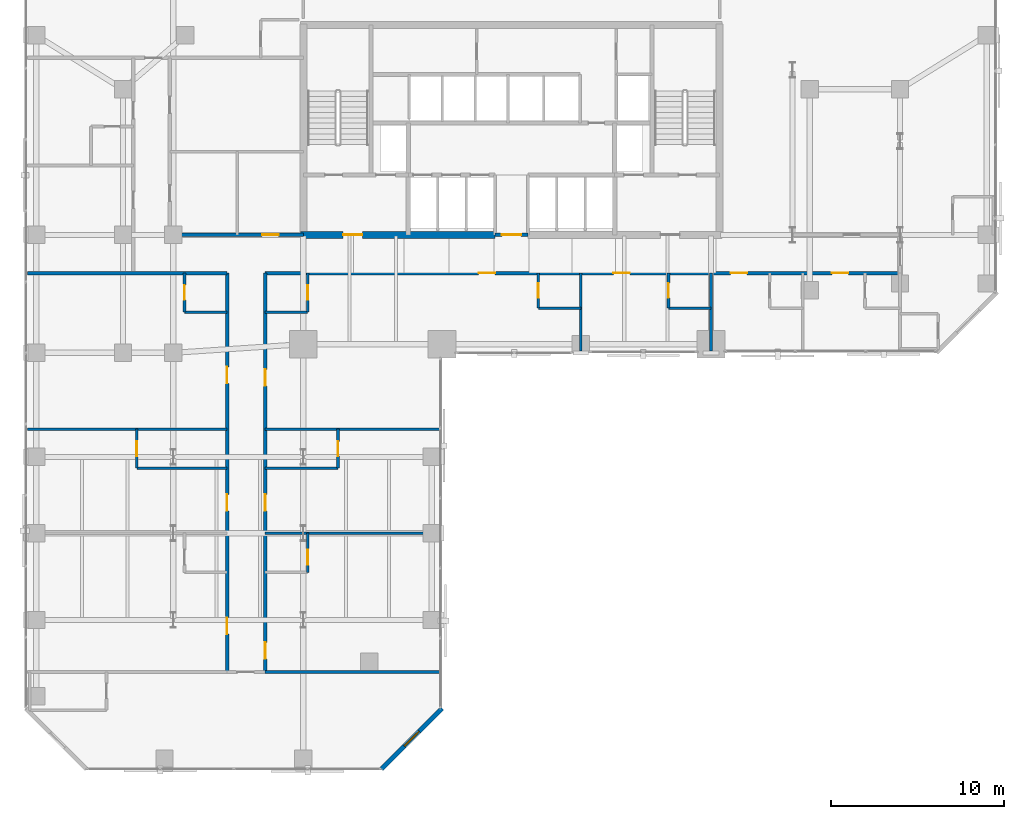
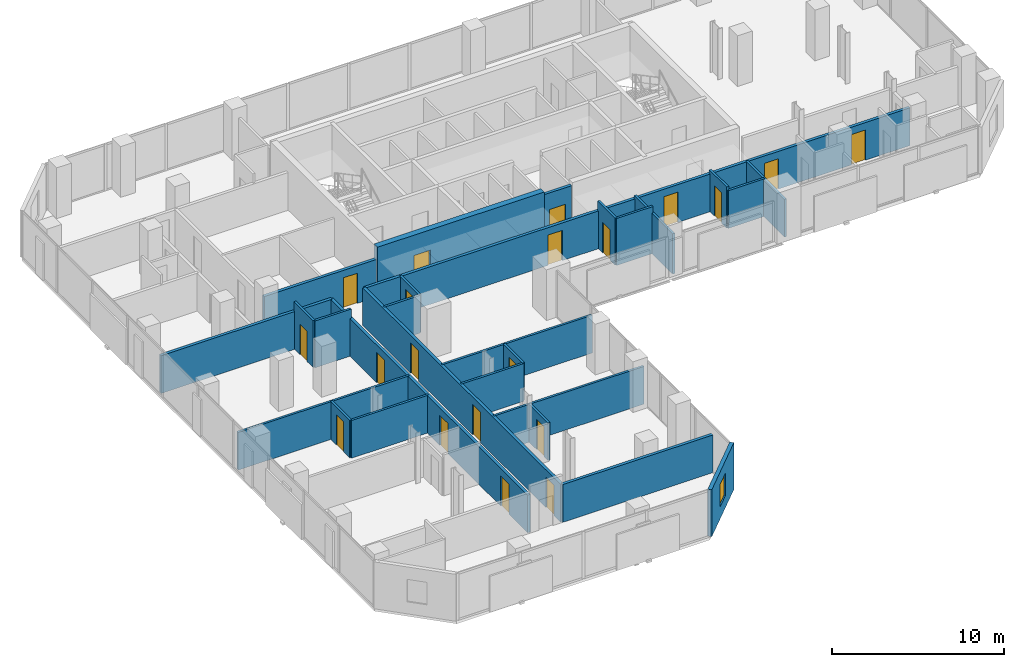
# One storey, part 27 of 31: 27 walls, 20 doors, 1 window, 21 openings.
"""IFC4 building model written with IfcOpenShell, lengths in metres."""

from ifc_helpers import new_model, si_unit, direction, frame, frame_2d, origin, place, context, subcontext, project, spatial, rectangle, extrude, material, layer, layer_set, type_object, element, fill, save


model = new_model("IFC4")

# Units and contexts
model_context = context("Model", 3, precision=1e-05, world=origin(), true_north=direction((0.0, 1.0)))
body_context = subcontext(model_context, "Body", "Model", "MODEL_VIEW")
ifc_project = project(units=[si_unit("LENGTHUNIT", "METRE"), si_unit("AREAUNIT", "SQUARE_METRE"), si_unit("VOLUMEUNIT", "CUBIC_METRE"), si_unit("PLANEANGLEUNIT", "RADIAN"), si_unit("MASSUNIT", "GRAM", prefix="KILO")], contexts=[model_context])

# Site, building, storey
site_placement = place(None, origin())
site = spatial("IfcSite", under=ifc_project, at=site_placement, CompositionType="ELEMENT")
building_placement = place(site_placement, origin())
building = spatial("IfcBuilding", under=site, at=building_placement, Name="Catumbela Crestline Tower", CompositionType="ELEMENT")
storey_placement = place(building_placement, frame((0.0, 0.0, 25.8)))
storey = spatial("IfcBuildingStorey", under=building, at=storey_placement, Name="L05", CompositionType="ELEMENT", Elevation=25.8)

# Wall, opening, door
ifc_material_1 = material(Name="Concrete C60/75", Category="concrete")
ifc_layer_1 = layer(ifc_material_1, 0.4, Name="Concrete C60/75")
ifc_layer_set_1 = layer_set([ifc_layer_1], Name="Concrete C60/75")
wall_type_1 = type_object("IfcWallType", Name="CW-400A", PredefinedType="SHEAR", material=ifc_layer_set_1)
wall_1_placement = place(storey_placement, frame((15.85, 30.8, 0.0), z_axis=(0.0, 0.0, 1.0), x_axis=(1.0, 0.0, 0.0)))
wall_1 = element("IfcWall", 1, at=wall_1_placement, inside=storey, type_object=wall_type_1, Name="L05 Structural Core Shear Wall SW", PredefinedType="SHEAR", context=body_context, shape_type="SweptSolid", body=[
    extrude(rectangle(XDim=11.2, YDim=0.4, at=frame_2d((5.6, 0.0))), origin(), (0.0, 0.0, 1.0), 3.6),
])
opening_1_placement = place(wall_1_placement, frame((2.45, 0.0, 0.0)))
opening_1 = element("IfcOpeningElement", 2, at=opening_1_placement, cuts=wall_1, Name="Opening DF9-110", PredefinedType="OPENING", context=body_context, shape_type="SweptSolid", body=[
    extrude(rectangle(XDim=1.1, YDim=2.15, at=frame_2d((0.55, 1.075))), frame((0.0, 0.21, 0.0), z_axis=(0.0, -1.0, 0.0), x_axis=(1.0, 0.0, 0.0)), (0.0, 0.0, 1.0), 0.42),
])
ifc_material_2 = material(Name="Stainless steel EN 1.4401", Category="steel")
door_type_1 = type_object("IfcDoorType", Name="DF9-110", OperationType="NOTDEFINED", PredefinedType="DOOR", material=ifc_material_2)
door_1_placement = place(opening_1_placement, origin())
door_1 = element("IfcDoor", 3, at=door_1_placement, inside=storey, type_object=door_type_1, Name="L05 Interior Door DR-L05-FFW-S", OperationType="SINGLE_SWING_LEFT", OverallHeight=2.15, OverallWidth=1.1, PredefinedType="DOOR", context=body_context, shape_type="SweptSolid", body=[
    extrude(rectangle(XDim=1.1, YDim=2.15, at=frame_2d((0.55, 1.075))), frame((0.0, 0.025, 0.0), z_axis=(0.0, -1.0, 0.0), x_axis=(1.0, 0.0, 0.0)), (0.0, 0.0, 1.0), 0.05),
])
fill(opening_1, door_1)

ifc_material_3 = material(Name="Acoustic gypsum and mineral-wool partition")
ifc_layer_2 = layer(ifc_material_3, 0.2, Name="Acoustic gypsum and mineral-wool partition")
ifc_layer_set_2 = layer_set([ifc_layer_2], Name="Acoustic gypsum and mineral-wool partition")
wall_type_2 = type_object("IfcWallType", Name="WC-200", PredefinedType="PARTITIONING", material=ifc_layer_set_2)
wall_2_placement = place(storey_placement, frame((27.05, 30.8, 0.0), z_axis=(0.0, 0.0, 1.0), x_axis=(1.0, 0.0, 0.0)))
wall_2 = element("IfcWall", 4, at=wall_2_placement, inside=storey, type_object=wall_type_2, Name="L05 Interior Partition PW-L05-CLOBS", PredefinedType="PARTITIONING", context=body_context, shape_type="SweptSolid", body=[
    extrude(rectangle(XDim=1.9, YDim=0.2, at=frame_2d((0.95, 0.0))), origin(), (0.0, 0.0, 1.0), 3.33),
])
opening_2_placement = place(wall_2_placement, frame((0.4, 0.0, 0.0)))
opening_2 = element("IfcOpeningElement", 5, at=opening_2_placement, cuts=wall_2, Name="Opening DF9-110", PredefinedType="OPENING", context=body_context, shape_type="SweptSolid", body=[
    extrude(rectangle(XDim=1.1, YDim=2.15, at=frame_2d((0.55, 1.075))), frame((0.0, 0.11, 0.0), z_axis=(0.0, -1.0, 0.0), x_axis=(1.0, 0.0, 0.0)), (0.0, 0.0, 1.0), 0.22),
])
door_2_placement = place(opening_2_placement, origin())
door_2 = element("IfcDoor", 6, at=door_2_placement, inside=storey, type_object=door_type_1, Name="L05 Interior Door DR-L05-CLOBS", OperationType="SINGLE_SWING_LEFT", OverallHeight=2.15, OverallWidth=1.1, PredefinedType="DOOR", context=body_context, shape_type="SweptSolid", body=[
    extrude(rectangle(XDim=1.1, YDim=2.15, at=frame_2d((0.55, 1.075))), frame((0.0, 0.025, 0.0), z_axis=(0.0, -1.0, 0.0), x_axis=(1.0, 0.0, 0.0)), (0.0, 0.0, 1.0), 0.05),
])
fill(opening_2, door_2)

# Wall
wall_3_placement = place(storey_placement, frame((0.1, 28.6, 0.0), z_axis=(0.0, 0.0, 1.0), x_axis=(1.0, 0.0, 0.0)))
element("IfcWall", 7, at=wall_3_placement, inside=storey, type_object=wall_type_2, Name="L05 Interior Partition PW-L05-CWGL-N", PredefinedType="PARTITIONING", context=body_context, shape_type="SweptSolid", body=[
    extrude(rectangle(XDim=11.5, YDim=0.2, at=frame_2d((5.75, 0.0))), origin(), (0.0, 0.0, 1.0), 2.68),
])

# Wall, openings, doors
wall_4_placement = place(storey_placement, frame((13.8, 28.6, 0.0), z_axis=(0.0, 0.0, 1.0), x_axis=(1.0, 0.0, 0.0)))
wall_4 = element("IfcWall", 8, at=wall_4_placement, inside=storey, type_object=wall_type_2, Name="L05 Interior Partition PW-L05-CWGR-N", PredefinedType="PARTITIONING", context=body_context, shape_type="SweptSolid", body=[
    extrude(rectangle(XDim=36.6, YDim=0.2, at=frame_2d((18.3, 0.0))), origin(), (0.0, 0.0, 1.0), 2.68),
])
opening_3_placement = place(wall_4_placement, frame((12.3, 0.0, 0.0)))
opening_3 = element("IfcOpeningElement", 9, at=opening_3_placement, cuts=wall_4, Name="Opening DF6-095", PredefinedType="OPENING", context=body_context, shape_type="SweptSolid", body=[
    extrude(rectangle(XDim=0.95, YDim=2.15, at=frame_2d((0.475, 1.075))), frame((0.0, 0.11, 0.0), z_axis=(0.0, -1.0, 0.0), x_axis=(1.0, 0.0, 0.0)), (0.0, 0.0, 1.0), 0.22),
])
opening_4_placement = place(wall_4_placement, frame((20.075, 0.0, 0.0)))
opening_4 = element("IfcOpeningElement", 10, at=opening_4_placement, cuts=wall_4, Name="Opening DF6-095", PredefinedType="OPENING", context=body_context, shape_type="SweptSolid", body=[
    extrude(rectangle(XDim=0.95, YDim=2.15, at=frame_2d((0.475, 1.075))), frame((0.0, 0.11, 0.0), z_axis=(0.0, -1.0, 0.0), x_axis=(1.0, 0.0, 0.0)), (0.0, 0.0, 1.0), 0.22),
])
opening_5_placement = place(wall_4_placement, frame((26.8289, 0.0, 0.0)))
opening_5 = element("IfcOpeningElement", 11, at=opening_5_placement, cuts=wall_4, Name="Opening DF6-095", PredefinedType="OPENING", context=body_context, shape_type="SweptSolid", body=[
    extrude(rectangle(XDim=0.95, YDim=2.15, at=frame_2d((0.475, 1.075))), frame((0.0, 0.11, 0.0), z_axis=(0.0, -1.0, 0.0), x_axis=(1.0, 0.0, 0.0)), (0.0, 0.0, 1.0), 0.22),
])
opening_6_placement = place(wall_4_placement, frame((32.6691, 0.0, 0.0)))
opening_6 = element("IfcOpeningElement", 12, at=opening_6_placement, cuts=wall_4, Name="Opening DF6-095", PredefinedType="OPENING", context=body_context, shape_type="SweptSolid", body=[
    extrude(rectangle(XDim=0.95, YDim=2.15, at=frame_2d((0.475, 1.075))), frame((0.0, 0.11, 0.0), z_axis=(0.0, -1.0, 0.0), x_axis=(1.0, 0.0, 0.0)), (0.0, 0.0, 1.0), 0.22),
])
ifc_material_4 = material(Name="Aluminium alloy AW-6060-T66", Category="aluminium")
door_type_2 = type_object("IfcDoorType", Name="DF6-095", OperationType="NOTDEFINED", PredefinedType="DOOR", material=ifc_material_4)
door_3_placement = place(opening_3_placement, origin())
door_3 = element("IfcDoor", 13, at=door_3_placement, inside=storey, type_object=door_type_2, Name="L05 Interior Door DR-L05-K1-ENT", OperationType="SINGLE_SWING_LEFT", OverallHeight=2.15, OverallWidth=0.95, PredefinedType="DOOR", context=body_context, shape_type="SweptSolid", body=[
    extrude(rectangle(XDim=0.95, YDim=2.15, at=frame_2d((0.475, 1.075))), frame((0.0, 0.025, 0.0), z_axis=(0.0, -1.0, 0.0), x_axis=(1.0, 0.0, 0.0)), (0.0, 0.0, 1.0), 0.05),
])
fill(opening_3, door_3)
door_4_placement = place(opening_4_placement, origin())
door_4 = element("IfcDoor", 14, at=door_4_placement, inside=storey, type_object=door_type_2, Name="L05 Interior Door DR-L05-K2-ENT", OperationType="SINGLE_SWING_RIGHT", OverallHeight=2.15, OverallWidth=0.95, PredefinedType="DOOR", context=body_context, shape_type="SweptSolid", body=[
    extrude(rectangle(XDim=0.95, YDim=2.15, at=frame_2d((0.475, 1.075))), frame((0.0, 0.025, 0.0), z_axis=(0.0, -1.0, 0.0), x_axis=(1.0, 0.0, 0.0)), (0.0, 0.0, 1.0), 0.05),
])
fill(opening_4, door_4)
door_5_placement = place(opening_5_placement, origin())
door_5 = element("IfcDoor", 15, at=door_5_placement, inside=storey, type_object=door_type_2, Name="L05 Interior Door DR-L05-K3-ENT", OperationType="SINGLE_SWING_LEFT", OverallHeight=2.15, OverallWidth=0.95, PredefinedType="DOOR", context=body_context, shape_type="SweptSolid", body=[
    extrude(rectangle(XDim=0.95, YDim=2.15, at=frame_2d((0.475, 1.075))), frame((0.0, 0.025, 0.0), z_axis=(0.0, -1.0, 0.0), x_axis=(1.0, 0.0, 0.0)), (0.0, 0.0, 1.0), 0.05),
])
fill(opening_5, door_5)
door_6_placement = place(opening_6_placement, origin())
door_6 = element("IfcDoor", 16, at=door_6_placement, inside=storey, type_object=door_type_2, Name="L05 Interior Door DR-L05-K4-ENT", OperationType="SINGLE_SWING_RIGHT", OverallHeight=2.15, OverallWidth=0.95, PredefinedType="DOOR", context=body_context, shape_type="SweptSolid", body=[
    extrude(rectangle(XDim=0.95, YDim=2.15, at=frame_2d((0.475, 1.075))), frame((0.0, 0.025, 0.0), z_axis=(0.0, -1.0, 0.0), x_axis=(1.0, 0.0, 0.0)), (0.0, 0.0, 1.0), 0.05),
])
fill(opening_6, door_6)

# Wall, opening, door
wall_5_placement = place(storey_placement, frame((8.3, 30.8, 0.0), z_axis=(0.0, 0.0, 1.0), x_axis=(1.0, 0.0, 0.0)))
wall_5 = element("IfcWall", 17, at=wall_5_placement, inside=storey, type_object=wall_type_2, Name="L05 Interior Partition PW-L05-HK-S", PredefinedType="PARTITIONING", context=body_context, shape_type="SweptSolid", body=[
    extrude(rectangle(XDim=7.7, YDim=0.2, at=frame_2d((3.85, 0.0))), origin(), (0.0, 0.0, 1.0), 2.68),
])
opening_7_placement = place(wall_5_placement, frame((5.325, 0.0, 0.0)))
opening_7 = element("IfcOpeningElement", 18, at=opening_7_placement, cuts=wall_5, Name="Opening DF6-095", PredefinedType="OPENING", context=body_context, shape_type="SweptSolid", body=[
    extrude(rectangle(XDim=0.95, YDim=2.15, at=frame_2d((0.475, 1.075))), frame((0.0, 0.11, 0.0), z_axis=(0.0, -1.0, 0.0), x_axis=(1.0, 0.0, 0.0)), (0.0, 0.0, 1.0), 0.22),
])
door_7_placement = place(opening_7_placement, origin())
door_7 = element("IfcDoor", 19, at=door_7_placement, inside=storey, type_object=door_type_2, Name="L05 Interior Door DR-L05-HKP", OperationType="SINGLE_SWING_LEFT", OverallHeight=2.15, OverallWidth=0.95, PredefinedType="DOOR", context=body_context, shape_type="SweptSolid", body=[
    extrude(rectangle(XDim=0.95, YDim=2.15, at=frame_2d((0.475, 1.075))), frame((0.0, 0.025, 0.0), z_axis=(0.0, -1.0, 0.0), x_axis=(1.0, 0.0, 0.0)), (0.0, 0.0, 1.0), 0.05),
])
fill(opening_7, door_7)

# Wall, openings, doors
wall_6_placement = place(storey_placement, frame((11.6, 5.6, 0.0), z_axis=(0.0, 0.0, 1.0), x_axis=(0.0, 1.0, 0.0)))
wall_6 = element("IfcWall", 20, at=wall_6_placement, inside=storey, type_object=wall_type_2, Name="L05 Interior Partition PW-L05-WL1-ENT", PredefinedType="PARTITIONING", context=body_context, shape_type="SweptSolid", body=[
    extrude(rectangle(XDim=23.0, YDim=0.2, at=frame_2d((11.5, 0.0))), origin(), (0.0, 0.0, 1.0), 2.68),
])
opening_8_placement = place(wall_6_placement, frame((2.19, 0.0, 0.0)))
opening_8 = element("IfcOpeningElement", 21, at=opening_8_placement, cuts=wall_6, Name="Opening DF6-095", PredefinedType="OPENING", context=body_context, shape_type="SweptSolid", body=[
    extrude(rectangle(XDim=0.95, YDim=2.15, at=frame_2d((0.475, 1.075))), frame((0.0, 0.11, 0.0), z_axis=(0.0, -1.0, 0.0), x_axis=(1.0, 0.0, 0.0)), (0.0, 0.0, 1.0), 0.22),
])
opening_9_placement = place(wall_6_placement, frame((9.29, 0.0, 0.0)))
opening_9 = element("IfcOpeningElement", 22, at=opening_9_placement, cuts=wall_6, Name="Opening DF6-095", PredefinedType="OPENING", context=body_context, shape_type="SweptSolid", body=[
    extrude(rectangle(XDim=0.95, YDim=2.15, at=frame_2d((0.475, 1.075))), frame((0.0, 0.11, 0.0), z_axis=(0.0, -1.0, 0.0), x_axis=(1.0, 0.0, 0.0)), (0.0, 0.0, 1.0), 0.22),
])
opening_10_placement = place(wall_6_placement, frame((16.64, 0.0, 0.0)))
opening_10 = element("IfcOpeningElement", 23, at=opening_10_placement, cuts=wall_6, Name="Opening DF6-095", PredefinedType="OPENING", context=body_context, shape_type="SweptSolid", body=[
    extrude(rectangle(XDim=0.95, YDim=2.15, at=frame_2d((0.475, 1.075))), frame((0.0, 0.11, 0.0), z_axis=(0.0, -1.0, 0.0), x_axis=(1.0, 0.0, 0.0)), (0.0, 0.0, 1.0), 0.22),
])
door_8_placement = place(opening_8_placement, origin())
door_8 = element("IfcDoor", 24, at=door_8_placement, inside=storey, type_object=door_type_2, Name="L05 Interior Door DR-L05-WL1-ENT", OperationType="SINGLE_SWING_LEFT", OverallHeight=2.15, OverallWidth=0.95, PredefinedType="DOOR", context=body_context, shape_type="SweptSolid", body=[
    extrude(rectangle(XDim=0.95, YDim=2.15, at=frame_2d((0.475, 1.075))), frame((0.0, 0.025, 0.0), z_axis=(0.0, -1.0, 0.0), x_axis=(1.0, 0.0, 0.0)), (0.0, 0.0, 1.0), 0.05),
])
fill(opening_8, door_8)
door_9_placement = place(opening_9_placement, origin())
door_9 = element("IfcDoor", 25, at=door_9_placement, inside=storey, type_object=door_type_2, Name="L05 Interior Door DR-L05-WL2-ENT", OperationType="SINGLE_SWING_RIGHT", OverallHeight=2.15, OverallWidth=0.95, PredefinedType="DOOR", context=body_context, shape_type="SweptSolid", body=[
    extrude(rectangle(XDim=0.95, YDim=2.15, at=frame_2d((0.475, 1.075))), frame((0.0, 0.025, 0.0), z_axis=(0.0, -1.0, 0.0), x_axis=(1.0, 0.0, 0.0)), (0.0, 0.0, 1.0), 0.05),
])
fill(opening_9, door_9)
door_10_placement = place(opening_10_placement, origin())
door_10 = element("IfcDoor", 26, at=door_10_placement, inside=storey, type_object=door_type_2, Name="L05 Interior Door DR-L05-WL3-ENT", OperationType="SINGLE_SWING_LEFT", OverallHeight=2.15, OverallWidth=0.95, PredefinedType="DOOR", context=body_context, shape_type="SweptSolid", body=[
    extrude(rectangle(XDim=0.95, YDim=2.15, at=frame_2d((0.475, 1.075))), frame((0.0, 0.025, 0.0), z_axis=(0.0, -1.0, 0.0), x_axis=(1.0, 0.0, 0.0)), (0.0, 0.0, 1.0), 0.05),
])
fill(opening_10, door_10)

wall_7_placement = place(storey_placement, frame((13.8, 5.6, 0.0), z_axis=(0.0, 0.0, 1.0), x_axis=(0.0, 1.0, 0.0)))
wall_7 = element("IfcWall", 27, at=wall_7_placement, inside=storey, type_object=wall_type_2, Name="L05 Interior Partition PW-L05-WR1-ENT", PredefinedType="PARTITIONING", context=body_context, shape_type="SweptSolid", body=[
    extrude(rectangle(XDim=23.0, YDim=0.2, at=frame_2d((11.5, 0.0))), origin(), (0.0, 0.0, 1.0), 2.68),
])
opening_11_placement = place(wall_7_placement, frame((0.7516, 0.0, 0.0)))
opening_11 = element("IfcOpeningElement", 28, at=opening_11_placement, cuts=wall_7, Name="Opening DF6-095", PredefinedType="OPENING", context=body_context, shape_type="SweptSolid", body=[
    extrude(rectangle(XDim=0.95, YDim=2.15, at=frame_2d((0.475, 1.075))), frame((0.0, 0.11, 0.0), z_axis=(0.0, -1.0, 0.0), x_axis=(1.0, 0.0, 0.0)), (0.0, 0.0, 1.0), 0.22),
])
opening_12_placement = place(wall_7_placement, frame((9.29, 0.0, 0.0)))
opening_12 = element("IfcOpeningElement", 29, at=opening_12_placement, cuts=wall_7, Name="Opening DF6-095", PredefinedType="OPENING", context=body_context, shape_type="SweptSolid", body=[
    extrude(rectangle(XDim=0.95, YDim=2.15, at=frame_2d((0.475, 1.075))), frame((0.0, 0.11, 0.0), z_axis=(0.0, -1.0, 0.0), x_axis=(1.0, 0.0, 0.0)), (0.0, 0.0, 1.0), 0.22),
])
opening_13_placement = place(wall_7_placement, frame((16.4941, 0.0, 0.0)))
opening_13 = element("IfcOpeningElement", 30, at=opening_13_placement, cuts=wall_7, Name="Opening DF6-095", PredefinedType="OPENING", context=body_context, shape_type="SweptSolid", body=[
    extrude(rectangle(XDim=0.95, YDim=2.15, at=frame_2d((0.475, 1.075))), frame((0.0, 0.11, 0.0), z_axis=(0.0, -1.0, 0.0), x_axis=(1.0, 0.0, 0.0)), (0.0, 0.0, 1.0), 0.22),
])
door_11_placement = place(opening_11_placement, origin())
door_11 = element("IfcDoor", 31, at=door_11_placement, inside=storey, type_object=door_type_2, Name="L05 Interior Door DR-L05-WR1-ENT", OperationType="SINGLE_SWING_LEFT", OverallHeight=2.15, OverallWidth=0.95, PredefinedType="DOOR", context=body_context, shape_type="SweptSolid", body=[
    extrude(rectangle(XDim=0.95, YDim=2.15, at=frame_2d((0.475, 1.075))), frame((0.0, 0.025, 0.0), z_axis=(0.0, -1.0, 0.0), x_axis=(1.0, 0.0, 0.0)), (0.0, 0.0, 1.0), 0.05),
])
fill(opening_11, door_11)
door_12_placement = place(opening_12_placement, origin())
door_12 = element("IfcDoor", 32, at=door_12_placement, inside=storey, type_object=door_type_2, Name="L05 Interior Door DR-L05-WR2-ENT", OperationType="SINGLE_SWING_RIGHT", OverallHeight=2.15, OverallWidth=0.95, PredefinedType="DOOR", context=body_context, shape_type="SweptSolid", body=[
    extrude(rectangle(XDim=0.95, YDim=2.15, at=frame_2d((0.475, 1.075))), frame((0.0, 0.025, 0.0), z_axis=(0.0, -1.0, 0.0), x_axis=(1.0, 0.0, 0.0)), (0.0, 0.0, 1.0), 0.05),
])
fill(opening_12, door_12)
door_13_placement = place(opening_13_placement, origin())
door_13 = element("IfcDoor", 33, at=door_13_placement, inside=storey, type_object=door_type_2, Name="L05 Interior Door DR-L05-WR3-ENT", OperationType="SINGLE_SWING_LEFT", OverallHeight=2.15, OverallWidth=0.95, PredefinedType="DOOR", context=body_context, shape_type="SweptSolid", body=[
    extrude(rectangle(XDim=0.95, YDim=2.15, at=frame_2d((0.475, 1.075))), frame((0.0, 0.025, 0.0), z_axis=(0.0, -1.0, 0.0), x_axis=(1.0, 0.0, 0.0)), (0.0, 0.0, 1.0), 0.05),
])
fill(opening_13, door_13)

# Wall, opening, window
ifc_material_5 = material(Name="Angolan grey-ochre granite", Category="masonry")
ifc_layer_3 = layer(ifc_material_5, 0.25, Name="Angolan grey-ochre granite")
ifc_layer_set_3 = layer_set([ifc_layer_3], Name="Angolan grey-ochre granite")
wall_type_3 = type_object("IfcWallType", Name="WE-250", PredefinedType="STANDARD", material=ifc_layer_set_3)
wall_8_placement = place(storey_placement, frame((20.5, 0.0, 0.0), z_axis=(0.0, 0.0, 1.0), x_axis=(0.707106781187, 0.707106781187, 0.0)))
wall_8 = element("IfcWall", 34, at=wall_8_placement, inside=storey, type_object=wall_type_3, Name="L05 Granite Punched Window Wall 1-1", PredefinedType="STANDARD", context=body_context, shape_type="SweptSolid", body=[
    extrude(rectangle(XDim=4.9497, YDim=0.25, at=frame_2d((2.4748, 0.0))), origin(), (0.0, 0.0, 1.0), 3.33),
])
opening_14_placement = place(wall_8_placement, frame((1.8748, 0.0, 0.85)))
opening_14 = element("IfcOpeningElement", 35, at=opening_14_placement, cuts=wall_8, Name="Opening WN-02", PredefinedType="OPENING", context=body_context, shape_type="SweptSolid", body=[
    extrude(rectangle(XDim=1.2, YDim=1.6, at=frame_2d((0.6, 0.8))), frame((0.0, 0.135, 0.0), z_axis=(0.0, -1.0, 0.0), x_axis=(1.0, 0.0, 0.0)), (0.0, 0.0, 1.0), 0.27),
])
ifc_material_6 = material(Name="Low-E laminated solar-control double glazing", Category="glass")
window_type = type_object("IfcWindowType", Name="WO-1200", PartitioningType="SINGLE_PANEL", PredefinedType="WINDOW", material=ifc_material_6)
window_placement = place(opening_14_placement, origin())
window = element("IfcWindow", 36, at=window_placement, inside=storey, type_object=window_type, Name="L05 Facade Vision Window 48", OverallHeight=1.6, OverallWidth=1.2, PartitioningType="SINGLE_PANEL", PredefinedType="WINDOW", context=body_context, shape_type="SweptSolid", body=[
    extrude(rectangle(XDim=1.2, YDim=1.6, at=frame_2d((0.6, 0.8))), frame((0.0, 0.03, 0.0), z_axis=(0.0, -1.0, 0.0), x_axis=(1.0, 0.0, 0.0)), (0.0, 0.0, 1.0), 0.06),
])
fill(opening_14, window)

# Wall
ifc_layer_4 = layer(ifc_material_3, 0.15, Name="Acoustic gypsum and mineral-wool partition")
ifc_layer_set_4 = layer_set([ifc_layer_4], Name="Acoustic gypsum and mineral-wool partition")
wall_type_4 = type_object("IfcWallType", Name="WP-150", PredefinedType="PARTITIONING", material=ifc_layer_set_4)
wall_9_placement = place(storey_placement, frame((29.55, 26.576, 0.0), z_axis=(0.0, 0.0, 1.0), x_axis=(1.0, 0.0, 0.0)))
element("IfcWall", 37, at=wall_9_placement, inside=storey, type_object=wall_type_4, Name="L05 Interior Partition PW-L05-K1-BHW", PredefinedType="PARTITIONING", context=body_context, shape_type="SweptSolid", body=[
    extrude(rectangle(XDim=2.45, YDim=0.15, at=frame_2d((1.225, 0.0))), origin(), (0.0, 0.0, 1.0), 3.33),
])

# Wall, opening, door
wall_10_placement = place(storey_placement, frame((29.55, 26.576, 0.0), z_axis=(0.0, 0.0, 1.0), x_axis=(0.0, 1.0, 0.0)))
wall_10 = element("IfcWall", 38, at=wall_10_placement, inside=storey, type_object=wall_type_4, Name="L05 Interior Partition PW-L05-K1-BWW", PredefinedType="PARTITIONING", context=body_context, shape_type="SweptSolid", body=[
    extrude(rectangle(XDim=2.024, YDim=0.15, at=frame_2d((1.012, 0.0))), origin(), (0.0, 0.0, 1.0), 3.33),
])
opening_15_placement = place(wall_10_placement, frame((0.587, 0.0, 0.0)))
opening_15 = element("IfcOpeningElement", 39, at=opening_15_placement, cuts=wall_10, Name="Opening DI-085", PredefinedType="OPENING", context=body_context, shape_type="SweptSolid", body=[
    extrude(rectangle(XDim=0.85, YDim=2.15, at=frame_2d((0.425, 1.075))), frame((0.0, 0.085, 0.0), z_axis=(0.0, -1.0, 0.0), x_axis=(1.0, 0.0, 0.0)), (0.0, 0.0, 1.0), 0.17),
])
door_type_3 = type_object("IfcDoorType", Name="DI-085", OperationType="NOTDEFINED", PredefinedType="DOOR", material=ifc_material_4)
door_14_placement = place(opening_15_placement, origin())
door_14 = element("IfcDoor", 40, at=door_14_placement, inside=storey, type_object=door_type_3, Name="L05 Interior Door DR-L05-K1-BTH", OperationType="SINGLE_SWING_RIGHT", OverallHeight=2.15, OverallWidth=0.85, PredefinedType="DOOR", context=body_context, shape_type="SweptSolid", body=[
    extrude(rectangle(XDim=0.85, YDim=2.15, at=frame_2d((0.425, 1.075))), frame((0.0, 0.025, 0.0), z_axis=(0.0, -1.0, 0.0), x_axis=(1.0, 0.0, 0.0)), (0.0, 0.0, 1.0), 0.05),
])
fill(opening_15, door_14)

# Walls
wall_11_placement = place(storey_placement, frame((32.0, 28.6, 0.0), z_axis=(0.0, 0.0, 1.0), x_axis=(0.0, -1.0, 0.0)))
element("IfcWall", 41, at=wall_11_placement, inside=storey, type_object=wall_type_4, Name="L05 Interior Partition PW-L05-K1-BCL-2", PredefinedType="PARTITIONING", context=body_context, shape_type="SweptSolid", body=[
    extrude(rectangle(XDim=4.5, YDim=0.15, at=frame_2d((2.25, 0.0))), origin(), (0.0, 0.0, 1.0), 2.87),
])
wall_12_placement = place(storey_placement, frame((37.05, 26.576, 0.0), z_axis=(0.0, 0.0, 1.0), x_axis=(1.0, 0.0, 0.0)))
element("IfcWall", 42, at=wall_12_placement, inside=storey, type_object=wall_type_4, Name="L05 Interior Partition PW-L05-K2-BHW", PredefinedType="PARTITIONING", context=body_context, shape_type="SweptSolid", body=[
    extrude(rectangle(XDim=2.45, YDim=0.15, at=frame_2d((1.225, 0.0))), origin(), (0.0, 0.0, 1.0), 2.68),
])

# Wall, opening, door
wall_13_placement = place(storey_placement, frame((37.05, 26.576, 0.0), z_axis=(0.0, 0.0, 1.0), x_axis=(0.0, 1.0, 0.0)))
wall_13 = element("IfcWall", 43, at=wall_13_placement, inside=storey, type_object=wall_type_4, Name="L05 Interior Partition PW-L05-K2-BWW", PredefinedType="PARTITIONING", context=body_context, shape_type="SweptSolid", body=[
    extrude(rectangle(XDim=2.024, YDim=0.15, at=frame_2d((1.012, 0.0))), origin(), (0.0, 0.0, 1.0), 2.92),
])
opening_16_placement = place(wall_13_placement, frame((0.587, 0.0, 0.0)))
opening_16 = element("IfcOpeningElement", 44, at=opening_16_placement, cuts=wall_13, Name="Opening DI-085", PredefinedType="OPENING", context=body_context, shape_type="SweptSolid", body=[
    extrude(rectangle(XDim=0.85, YDim=2.15, at=frame_2d((0.425, 1.075))), frame((0.0, 0.085, 0.0), z_axis=(0.0, -1.0, 0.0), x_axis=(1.0, 0.0, 0.0)), (0.0, 0.0, 1.0), 0.17),
])
door_15_placement = place(opening_16_placement, origin())
door_15 = element("IfcDoor", 45, at=door_15_placement, inside=storey, type_object=door_type_3, Name="L05 Interior Door DR-L05-K2-BTH", OperationType="SINGLE_SWING_RIGHT", OverallHeight=2.15, OverallWidth=0.85, PredefinedType="DOOR", context=body_context, shape_type="SweptSolid", body=[
    extrude(rectangle(XDim=0.85, YDim=2.15, at=frame_2d((0.425, 1.075))), frame((0.0, 0.025, 0.0), z_axis=(0.0, -1.0, 0.0), x_axis=(1.0, 0.0, 0.0)), (0.0, 0.0, 1.0), 0.05),
])
fill(opening_16, door_15)

# Wall
wall_14_placement = place(storey_placement, frame((39.5, 28.6, 0.0), z_axis=(0.0, 0.0, 1.0), x_axis=(0.0, -1.0, 0.0)))
element("IfcWall", 46, at=wall_14_placement, inside=storey, type_object=wall_type_4, Name="L05 Interior Partition PW-L05-K2-BCL-2", PredefinedType="PARTITIONING", context=body_context, shape_type="SweptSolid", body=[
    extrude(rectangle(XDim=4.5, YDim=0.15, at=frame_2d((2.25, 0.0))), origin(), (0.0, 0.0, 1.0), 2.68),
])

# Wall, opening, door
wall_15_placement = place(storey_placement, frame((16.25, 11.35, 0.0), z_axis=(0.0, 0.0, 1.0), x_axis=(0.0, 1.0, 0.0)))
wall_15 = element("IfcWall", 47, at=wall_15_placement, inside=storey, type_object=wall_type_4, Name="L05 Interior Partition PW-L05-WR1-BEW", PredefinedType="PARTITIONING", context=body_context, shape_type="SweptSolid", body=[
    extrude(rectangle(XDim=2.25, YDim=0.15, at=frame_2d((1.125, 0.0))), origin(), (0.0, 0.0, 1.0), 2.68),
])
opening_17_placement = place(wall_15_placement, frame((0.4444, 0.0, 0.0)))
opening_17 = element("IfcOpeningElement", 48, at=opening_17_placement, cuts=wall_15, Name="Opening DI-085", PredefinedType="OPENING", context=body_context, shape_type="SweptSolid", body=[
    extrude(rectangle(XDim=0.85, YDim=2.15, at=frame_2d((0.425, 1.075))), frame((0.0, 0.085, 0.0), z_axis=(0.0, -1.0, 0.0), x_axis=(1.0, 0.0, 0.0)), (0.0, 0.0, 1.0), 0.17),
])
door_16_placement = place(opening_17_placement, origin())
door_16 = element("IfcDoor", 49, at=door_16_placement, inside=storey, type_object=door_type_3, Name="L05 Interior Door DR-L05-WR1-BTH", OperationType="SINGLE_SWING_LEFT", OverallHeight=2.15, OverallWidth=0.85, PredefinedType="DOOR", context=body_context, shape_type="SweptSolid", body=[
    extrude(rectangle(XDim=0.85, YDim=2.15, at=frame_2d((0.425, 1.075))), frame((0.0, 0.025, 0.0), z_axis=(0.0, -1.0, 0.0), x_axis=(1.0, 0.0, 0.0)), (0.0, 0.0, 1.0), 0.05),
])
fill(opening_17, door_16)

# Walls
wall_16_placement = place(storey_placement, frame((13.8, 13.6, 0.0), z_axis=(0.0, 0.0, 1.0), x_axis=(1.0, 0.0, 0.0)))
element("IfcWall", 50, at=wall_16_placement, inside=storey, type_object=wall_type_4, Name="L05 Interior Partition PW-L05-WR1-BCL-1", PredefinedType="PARTITIONING", context=body_context, shape_type="SweptSolid", body=[
    extrude(rectangle(XDim=10.1, YDim=0.15, at=frame_2d((5.05, 0.0))), origin(), (0.0, 0.0, 1.0), 2.68),
])
wall_17_placement = place(storey_placement, frame((6.4, 17.35, 0.0), z_axis=(0.0, 0.0, 1.0), x_axis=(1.0, 0.0, 0.0)))
element("IfcWall", 51, at=wall_17_placement, inside=storey, type_object=wall_type_4, Name="L05 Interior Partition PW-L05-WL2-BSW", PredefinedType="PARTITIONING", context=body_context, shape_type="SweptSolid", body=[
    extrude(rectangle(XDim=5.2, YDim=0.15, at=frame_2d((2.6, 0.0))), origin(), (0.0, 0.0, 1.0), 2.68),
])

# Wall, opening, door
wall_18_placement = place(storey_placement, frame((6.4, 17.35, 0.0), z_axis=(0.0, 0.0, 1.0), x_axis=(0.0, 1.0, 0.0)))
wall_18 = element("IfcWall", 52, at=wall_18_placement, inside=storey, type_object=wall_type_4, Name="L05 Interior Partition PW-L05-WL2-BWW", PredefinedType="PARTITIONING", context=body_context, shape_type="SweptSolid", body=[
    extrude(rectangle(XDim=2.25, YDim=0.15, at=frame_2d((1.125, 0.0))), origin(), (0.0, 0.0, 1.0), 2.68),
])
opening_18_placement = place(wall_18_placement, frame((0.7, 0.0, 0.0)))
opening_18 = element("IfcOpeningElement", 53, at=opening_18_placement, cuts=wall_18, Name="Opening DI-085", PredefinedType="OPENING", context=body_context, shape_type="SweptSolid", body=[
    extrude(rectangle(XDim=0.85, YDim=2.15, at=frame_2d((0.425, 1.075))), frame((0.0, 0.085, 0.0), z_axis=(0.0, -1.0, 0.0), x_axis=(1.0, 0.0, 0.0)), (0.0, 0.0, 1.0), 0.17),
])
door_17_placement = place(opening_18_placement, origin())
door_17 = element("IfcDoor", 54, at=door_17_placement, inside=storey, type_object=door_type_3, Name="L05 Interior Door DR-L05-WL2-BTH", OperationType="SINGLE_SWING_RIGHT", OverallHeight=2.15, OverallWidth=0.85, PredefinedType="DOOR", context=body_context, shape_type="SweptSolid", body=[
    extrude(rectangle(XDim=0.85, YDim=2.15, at=frame_2d((0.425, 1.075))), frame((0.0, 0.025, 0.0), z_axis=(0.0, -1.0, 0.0), x_axis=(1.0, 0.0, 0.0)), (0.0, 0.0, 1.0), 0.05),
])
fill(opening_18, door_17)

# Walls
wall_19_placement = place(storey_placement, frame((0.1, 19.6, 0.0), z_axis=(0.0, 0.0, 1.0), x_axis=(1.0, 0.0, 0.0)))
element("IfcWall", 55, at=wall_19_placement, inside=storey, type_object=wall_type_4, Name="L05 Interior Partition PW-L05-WL2-BCL-1", PredefinedType="PARTITIONING", context=body_context, shape_type="SweptSolid", body=[
    extrude(rectangle(XDim=11.5, YDim=0.15, at=frame_2d((5.75, 0.0))), origin(), (0.0, 0.0, 1.0), 2.68),
])
wall_20_placement = place(storey_placement, frame((13.8, 17.35, 0.0), z_axis=(0.0, 0.0, 1.0), x_axis=(1.0, 0.0, 0.0)))
element("IfcWall", 56, at=wall_20_placement, inside=storey, type_object=wall_type_4, Name="L05 Interior Partition PW-L05-WR2-BSW", PredefinedType="PARTITIONING", context=body_context, shape_type="SweptSolid", body=[
    extrude(rectangle(XDim=4.2, YDim=0.15, at=frame_2d((2.1, 0.0))), origin(), (0.0, 0.0, 1.0), 2.68),
])

# Wall, opening, door
wall_21_placement = place(storey_placement, frame((18.0, 17.35, 0.0), z_axis=(0.0, 0.0, 1.0), x_axis=(0.0, 1.0, 0.0)))
wall_21 = element("IfcWall", 57, at=wall_21_placement, inside=storey, type_object=wall_type_4, Name="L05 Interior Partition PW-L05-WR2-BEW", PredefinedType="PARTITIONING", context=body_context, shape_type="SweptSolid", body=[
    extrude(rectangle(XDim=2.25, YDim=0.15, at=frame_2d((1.125, 0.0))), origin(), (0.0, 0.0, 1.0), 2.68),
])
opening_19_placement = place(wall_21_placement, frame((0.7, 0.0, 0.0)))
opening_19 = element("IfcOpeningElement", 58, at=opening_19_placement, cuts=wall_21, Name="Opening DI-085", PredefinedType="OPENING", context=body_context, shape_type="SweptSolid", body=[
    extrude(rectangle(XDim=0.85, YDim=2.15, at=frame_2d((0.425, 1.075))), frame((0.0, 0.085, 0.0), z_axis=(0.0, -1.0, 0.0), x_axis=(1.0, 0.0, 0.0)), (0.0, 0.0, 1.0), 0.17),
])
door_18_placement = place(opening_19_placement, origin())
door_18 = element("IfcDoor", 59, at=door_18_placement, inside=storey, type_object=door_type_3, Name="L05 Interior Door DR-L05-WR2-BTH", OperationType="SINGLE_SWING_LEFT", OverallHeight=2.15, OverallWidth=0.85, PredefinedType="DOOR", context=body_context, shape_type="SweptSolid", body=[
    extrude(rectangle(XDim=0.85, YDim=2.15, at=frame_2d((0.425, 1.075))), frame((0.0, 0.025, 0.0), z_axis=(0.0, -1.0, 0.0), x_axis=(1.0, 0.0, 0.0)), (0.0, 0.0, 1.0), 0.05),
])
fill(opening_19, door_18)

# Walls
wall_22_placement = place(storey_placement, frame((13.8, 19.6, 0.0), z_axis=(0.0, 0.0, 1.0), x_axis=(1.0, 0.0, 0.0)))
element("IfcWall", 60, at=wall_22_placement, inside=storey, type_object=wall_type_4, Name="L05 Interior Partition PW-L05-WR2-BCL-1", PredefinedType="PARTITIONING", context=body_context, shape_type="SweptSolid", body=[
    extrude(rectangle(XDim=10.1, YDim=0.15, at=frame_2d((5.05, 0.0))), origin(), (0.0, 0.0, 1.0), 2.68),
])
wall_23_placement = place(storey_placement, frame((9.15, 26.35, 0.0), z_axis=(0.0, 0.0, 1.0), x_axis=(1.0, 0.0, 0.0)))
element("IfcWall", 61, at=wall_23_placement, inside=storey, type_object=wall_type_4, Name="L05 Interior Partition PW-L05-WL3-BSW", PredefinedType="PARTITIONING", context=body_context, shape_type="SweptSolid", body=[
    extrude(rectangle(XDim=2.45, YDim=0.15, at=frame_2d((1.225, 0.0))), origin(), (0.0, 0.0, 1.0), 3.33),
])

# Wall, opening, door
wall_24_placement = place(storey_placement, frame((9.15, 26.35, 0.0), z_axis=(0.0, 0.0, 1.0), x_axis=(0.0, 1.0, 0.0)))
wall_24 = element("IfcWall", 62, at=wall_24_placement, inside=storey, type_object=wall_type_4, Name="L05 Interior Partition PW-L05-WL3-BWW", PredefinedType="PARTITIONING", context=body_context, shape_type="SweptSolid", body=[
    extrude(rectangle(XDim=2.25, YDim=0.15, at=frame_2d((1.125, 0.0))), origin(), (0.0, 0.0, 1.0), 3.33),
])
opening_20_placement = place(wall_24_placement, frame((0.7, 0.0, 0.0)))
opening_20 = element("IfcOpeningElement", 63, at=opening_20_placement, cuts=wall_24, Name="Opening DI-085", PredefinedType="OPENING", context=body_context, shape_type="SweptSolid", body=[
    extrude(rectangle(XDim=0.85, YDim=2.15, at=frame_2d((0.425, 1.075))), frame((0.0, 0.085, 0.0), z_axis=(0.0, -1.0, 0.0), x_axis=(1.0, 0.0, 0.0)), (0.0, 0.0, 1.0), 0.17),
])
door_19_placement = place(opening_20_placement, origin())
door_19 = element("IfcDoor", 64, at=door_19_placement, inside=storey, type_object=door_type_3, Name="L05 Interior Door DR-L05-WL3-BTH", OperationType="SINGLE_SWING_RIGHT", OverallHeight=2.15, OverallWidth=0.85, PredefinedType="DOOR", context=body_context, shape_type="SweptSolid", body=[
    extrude(rectangle(XDim=0.85, YDim=2.15, at=frame_2d((0.425, 1.075))), frame((0.0, 0.025, 0.0), z_axis=(0.0, -1.0, 0.0), x_axis=(1.0, 0.0, 0.0)), (0.0, 0.0, 1.0), 0.05),
])
fill(opening_20, door_19)

# Wall
wall_25_placement = place(storey_placement, frame((13.8, 26.35, 0.0), z_axis=(0.0, 0.0, 1.0), x_axis=(1.0, 0.0, 0.0)))
element("IfcWall", 65, at=wall_25_placement, inside=storey, type_object=wall_type_4, Name="L05 Interior Partition PW-L05-WR3-BSW", PredefinedType="PARTITIONING", context=body_context, shape_type="SweptSolid", body=[
    extrude(rectangle(XDim=2.45, YDim=0.15, at=frame_2d((1.225, 0.0))), origin(), (0.0, 0.0, 1.0), 2.68),
])

# Wall, opening, door
wall_26_placement = place(storey_placement, frame((16.25, 26.35, 0.0), z_axis=(0.0, 0.0, 1.0), x_axis=(0.0, 1.0, 0.0)))
wall_26 = element("IfcWall", 66, at=wall_26_placement, inside=storey, type_object=wall_type_4, Name="L05 Interior Partition PW-L05-WR3-BEW", PredefinedType="PARTITIONING", context=body_context, shape_type="SweptSolid", body=[
    extrude(rectangle(XDim=2.25, YDim=0.15, at=frame_2d((1.125, 0.0))), origin(), (0.0, 0.0, 1.0), 2.68),
])
opening_21_placement = place(wall_26_placement, frame((0.7, 0.0, 0.0)))
opening_21 = element("IfcOpeningElement", 67, at=opening_21_placement, cuts=wall_26, Name="Opening DI-085", PredefinedType="OPENING", context=body_context, shape_type="SweptSolid", body=[
    extrude(rectangle(XDim=0.85, YDim=2.15, at=frame_2d((0.425, 1.075))), frame((0.0, 0.085, 0.0), z_axis=(0.0, -1.0, 0.0), x_axis=(1.0, 0.0, 0.0)), (0.0, 0.0, 1.0), 0.17),
])
door_20_placement = place(opening_21_placement, origin())
door_20 = element("IfcDoor", 68, at=door_20_placement, inside=storey, type_object=door_type_3, Name="L05 Interior Door DR-L05-WR3-BTH", OperationType="SINGLE_SWING_LEFT", OverallHeight=2.15, OverallWidth=0.85, PredefinedType="DOOR", context=body_context, shape_type="SweptSolid", body=[
    extrude(rectangle(XDim=0.85, YDim=2.15, at=frame_2d((0.425, 1.075))), frame((0.0, 0.025, 0.0), z_axis=(0.0, -1.0, 0.0), x_axis=(1.0, 0.0, 0.0)), (0.0, 0.0, 1.0), 0.05),
])
fill(opening_21, door_20)

# Wall
ifc_layer_5 = layer(ifc_material_3, 0.2, Name="Acoustic gypsum and mineral-wool partition")
ifc_layer_set_5 = layer_set([ifc_layer_5], Name="Acoustic gypsum and mineral-wool partition")
wall_type_5 = type_object("IfcWallType", Name="WY-200", PredefinedType="PARTITIONING", material=ifc_layer_set_5)
wall_27_placement = place(storey_placement, frame((13.8, 5.6, 0.0), z_axis=(0.0, 0.0, 1.0), x_axis=(1.0, 0.0, 0.0)))
element("IfcWall", 69, at=wall_27_placement, inside=storey, type_object=wall_type_5, Name="L05 Interior Partition PW-L05-WTIP-WR", PredefinedType="PARTITIONING", context=body_context, shape_type="SweptSolid", body=[
    extrude(rectangle(XDim=10.1, YDim=0.2, at=frame_2d((5.05, 0.0))), origin(), (0.0, 0.0, 1.0), 2.68),
])

save(model, "model.ifc")
